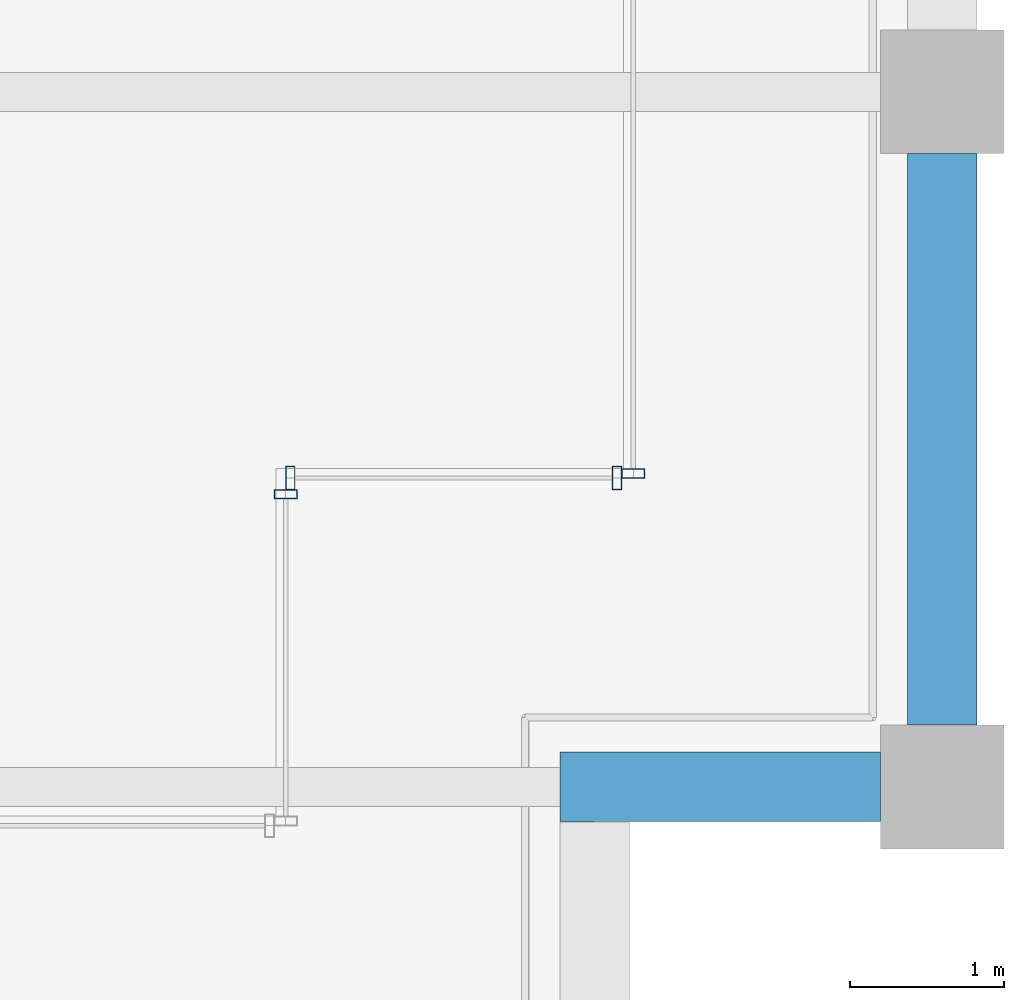
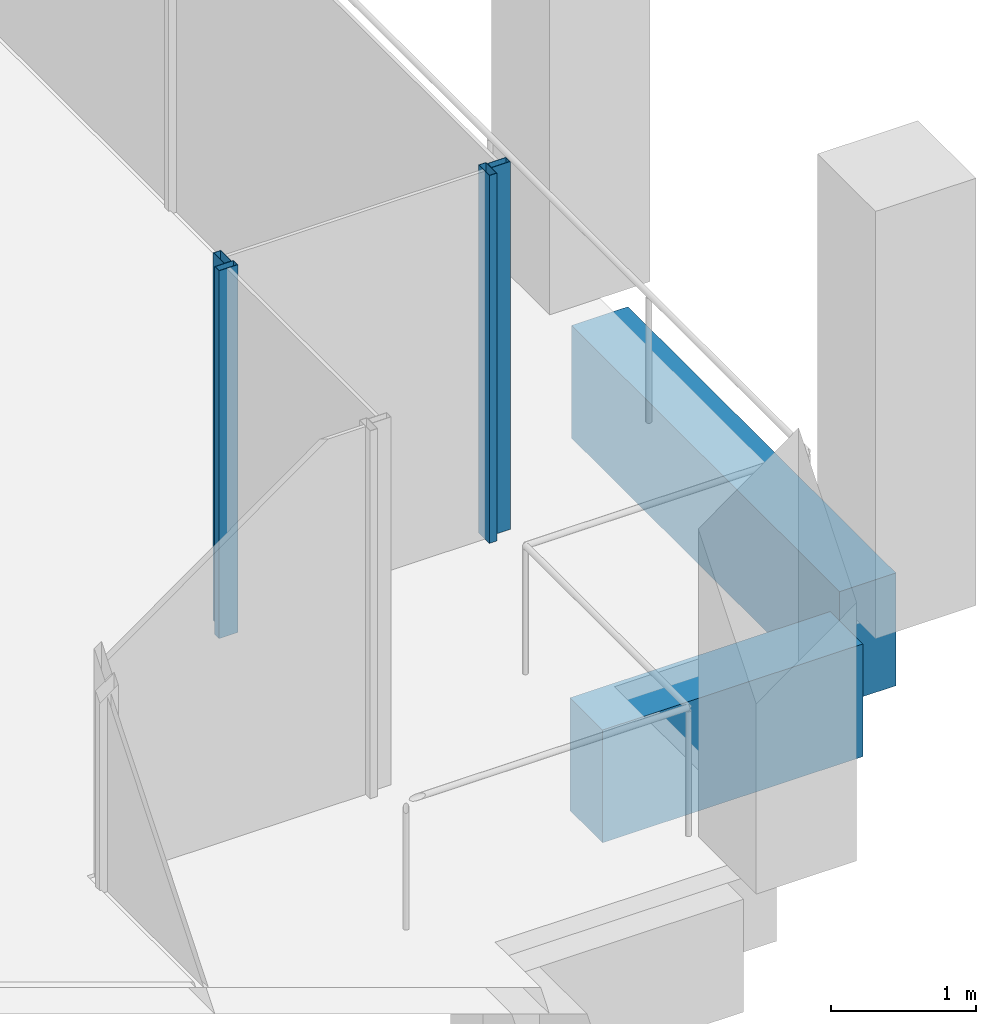
# One storey, part 13 of 30: 4 members, 2 beams, 3 elements without a shape of their own.
"""IFC4 building model written with IfcOpenShell, lengths in metres."""

from ifc_helpers import new_model, si_unit, direction, frame, origin, origin_2d, place, context, subcontext, project, spatial, rectangle, hollow_rectangle, extrude, material, material_profile, profile_set, type_object, element, aggregate, save


model = new_model("IFC4")

# Units and contexts
model_context = context("Model", 3, precision=1e-05, world=origin(), true_north=direction((0.0, 1.0)))
body_context = subcontext(model_context, "Body", "Model", "MODEL_VIEW")
ifc_project = project(units=[si_unit("LENGTHUNIT", "METRE"), si_unit("AREAUNIT", "SQUARE_METRE"), si_unit("VOLUMEUNIT", "CUBIC_METRE"), si_unit("PLANEANGLEUNIT", "RADIAN"), si_unit("MASSUNIT", "GRAM", prefix="KILO")], contexts=[model_context])

# Site, building, storey
site_placement = place(None, origin())
site = spatial("IfcSite", under=ifc_project, at=site_placement, CompositionType="ELEMENT")
building_placement = place(site_placement, origin())
building = spatial("IfcBuilding", under=site, at=building_placement, Name="Altepetl Exchange Towers", CompositionType="ELEMENT")
storey_placement = place(building_placement, frame((0.0, 0.0, 220.800048828125)))
storey = spatial("IfcBuildingStorey", under=building, at=storey_placement, Name="L56", CompositionType="ELEMENT", Elevation=220.800048828125)

# Curtain wall, member
ifc_material_1 = material(Name="Aluminium 6063-T6 glazing", Category="aluminium")
curtain_wall_type = type_object("IfcCurtainWallType", Name="Loggia glazing system", PredefinedType="NOTDEFINED", material=ifc_material_1)
curtain_wall_1_placement = place(storey_placement, origin())
curtain_wall_1 = element("IfcCurtainWall", 1, at=curtain_wall_1_placement, inside=storey, type_object=curtain_wall_type, Name="CW1 run", PredefinedType="NOTDEFINED")
ifc_material_2 = material(Name="Aluminium 6063-T6", Category="aluminium")
ifc_material_profile_1 = material_profile(ifc_material_2, hollow_rectangle(XDim=0.06005859375, YDim=0.14990234375, WallThickness=0.0029296875, at=origin_2d()), Name="Mullion 60x150 aluminium")
ifc_profile_set_1 = profile_set([ifc_material_profile_1], Name="Aluminium 6063-T6")
member_type = type_object("IfcMemberType", Name="Mullion 60x150 aluminium", PredefinedType="MULLION", material=ifc_profile_set_1)
member_1_placement = place(storey_placement, frame((67.75, 33.39501953125, 0.0), z_axis=(0.0, 0.0, 1.0), x_axis=(0.0, 1.0, 0.0)))
member_1 = element("IfcMember", 2, at=member_1_placement, type_object=member_type, Name="MU1 mullion", PredefinedType="MULLION", context=body_context, shape_type="SweptSolid", body=[
    extrude(hollow_rectangle(XDim=0.06005859375, YDim=0.14990234375, WallThickness=0.0029296875, at=origin_2d()), origin(), (0.0, 0.0, 1.0), 3.099853515625),
])
aggregate(curtain_wall_1, [member_1])

# Curtain wall, members
curtain_wall_2_placement = place(storey_placement, origin())
curtain_wall_2 = element("IfcCurtainWall", 3, at=curtain_wall_2_placement, inside=storey, type_object=curtain_wall_type, Name="CW1 run", PredefinedType="NOTDEFINED")
member_2_placement = place(storey_placement, frame((67.780029296875, 33.5, 0.0)))
member_2 = element("IfcMember", 4, at=member_2_placement, type_object=member_type, Name="MU1 mullion", PredefinedType="MULLION", context=body_context, shape_type="SweptSolid", body=[
    extrude(hollow_rectangle(XDim=0.06005859375, YDim=0.14990234375, WallThickness=0.0029296875, at=origin_2d()), origin(), (0.0, 0.0, 1.0), 3.099853515625),
])
member_3_placement = place(storey_placement, frame((69.89501953125, 33.5, 0.0)))
member_3 = element("IfcMember", 5, at=member_3_placement, type_object=member_type, Name="MU1 mullion", PredefinedType="MULLION", context=body_context, shape_type="SweptSolid", body=[
    extrude(hollow_rectangle(XDim=0.06005859375, YDim=0.14990234375, WallThickness=0.0029296875, at=origin_2d()), origin(), (0.0, 0.0, 1.0), 3.099853515625),
])
aggregate(curtain_wall_2, [member_2, member_3])

# Curtain wall, member
curtain_wall_3_placement = place(storey_placement, origin())
curtain_wall_3 = element("IfcCurtainWall", 6, at=curtain_wall_3_placement, inside=storey, type_object=curtain_wall_type, Name="CW1 run", PredefinedType="NOTDEFINED")
member_4_placement = place(storey_placement, frame((70.0, 33.530029296875, 0.0), z_axis=(0.0, 0.0, 1.0), x_axis=(0.0, 1.0, 0.0)))
member_4 = element("IfcMember", 7, at=member_4_placement, type_object=member_type, Name="MU1 mullion", PredefinedType="MULLION", context=body_context, shape_type="SweptSolid", body=[
    extrude(hollow_rectangle(XDim=0.06005859375, YDim=0.14990234375, WallThickness=0.0029296875, at=origin_2d()), origin(), (0.0, 0.0, 1.0), 3.099853515625),
])
aggregate(curtain_wall_3, [member_4])

# Beams
ifc_material_3 = material(Name="Concrete C50/60 precast with cantera amarilla facing", Category="concrete")
ifc_material_profile_2 = material_profile(ifc_material_3, rectangle(XDim=0.449951171875, YDim=0.949951171875, at=origin_2d()), Name="450 x 950")
ifc_profile_set_2 = profile_set([ifc_material_profile_2], Name="Concrete C50/60 precast with cantera amarilla facing")
beam_type = type_object("IfcBeamType", Name="Spandrel beam 450x950 cantera amarilla", PredefinedType="SPANDREL", material=ifc_profile_set_2)
beam_1_placement = place(storey_placement, frame((69.52490234375, 31.5, -0.625), z_axis=(1.0, 0.0, 0.0), x_axis=(0.0, 1.0, 0.0)))
element("IfcBeam", 8, at=beam_1_placement, inside=storey, type_object=beam_type, Name="sp:A:L56:011", PredefinedType="SPANDREL", context=body_context, shape_type="SweptSolid", body=[
    extrude(rectangle(XDim=0.449951171875, YDim=0.949951171875, at=origin_2d()), origin(), (0.0, 0.0, 1.0), 2.0751953125),
])
beam_2_placement = place(storey_placement, frame((72.0, 31.89990234375, -0.625), z_axis=(0.0, 1.0, 0.0), x_axis=(-1.0, 0.0, 0.0)))
element("IfcBeam", 9, at=beam_2_placement, inside=storey, type_object=beam_type, Name="sp:A:L56:012", PredefinedType="SPANDREL", context=body_context, shape_type="SweptSolid", body=[
    extrude(rectangle(XDim=0.449951171875, YDim=0.949951171875, at=origin_2d()), origin(), (0.0, 0.0, 1.0), 3.7001953125),
])

save(model, "model.ifc")
